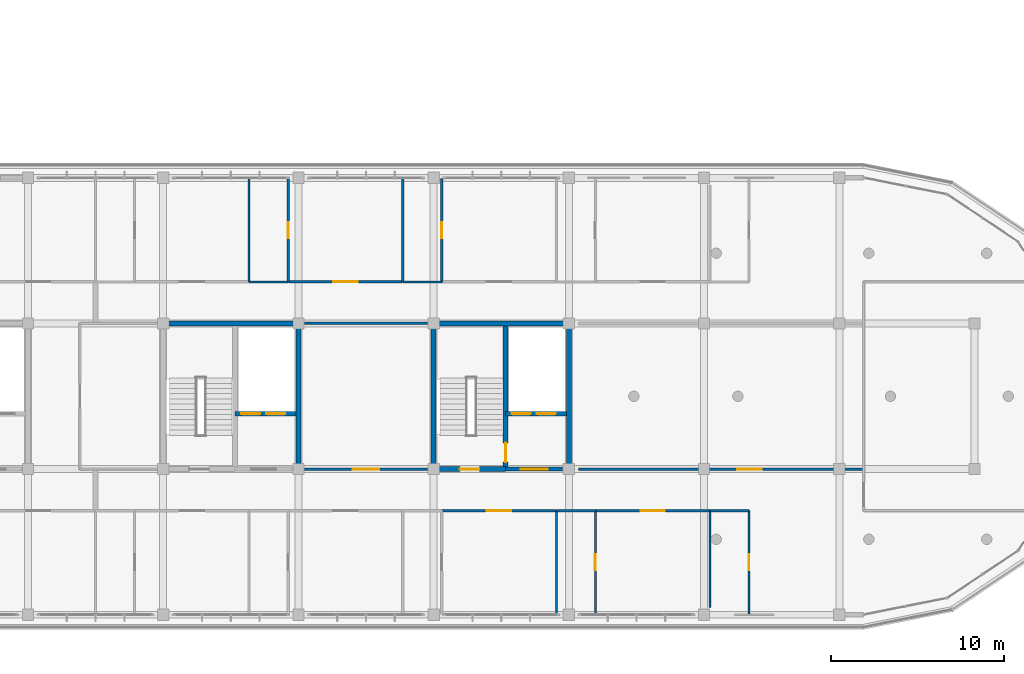
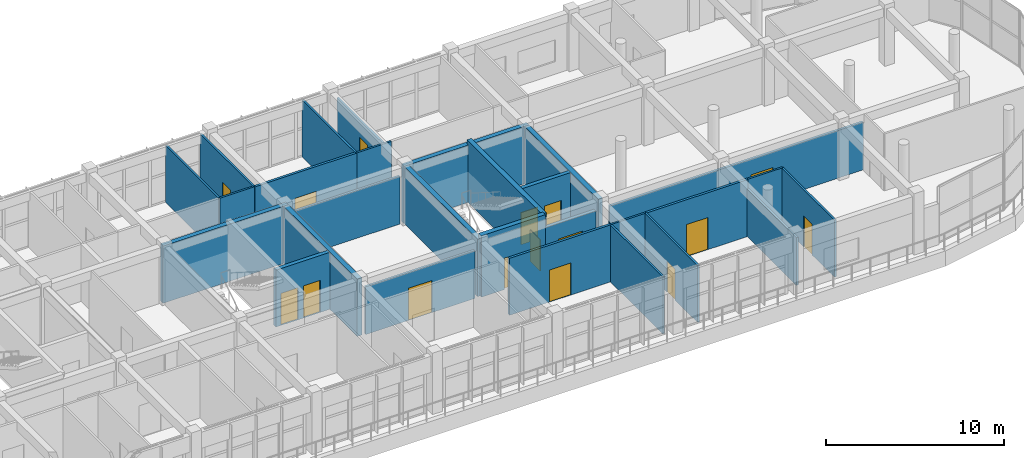
# One storey, part 50 of 57: 28 walls, 16 doors, 16 openings.
"""IFC4 building model written with IfcOpenShell, lengths in metres."""

from ifc_helpers import new_model, si_unit, direction, frame, frame_2d, origin, place, context, subcontext, project, spatial, rectangle, extrude, material, layer, layer_set, type_object, element, fill, save


model = new_model("IFC4")

# Units and contexts
model_context = context("Model", 3, precision=1e-05, world=origin(), true_north=direction((0.0, 1.0)))
body_context = subcontext(model_context, "Body", "Model", "MODEL_VIEW")
ifc_project = project(units=[si_unit("LENGTHUNIT", "METRE"), si_unit("AREAUNIT", "SQUARE_METRE"), si_unit("VOLUMEUNIT", "CUBIC_METRE"), si_unit("PLANEANGLEUNIT", "RADIAN"), si_unit("MASSUNIT", "GRAM", prefix="KILO")], contexts=[model_context])

# Site, building, storey
site_placement = place(None, origin())
site = spatial("IfcSite", under=ifc_project, at=site_placement, CompositionType="ELEMENT")
building_placement = place(site_placement, origin())
building = spatial("IfcBuilding", under=site, at=building_placement, Name="Zizhar Promenade General Hospital", CompositionType="ELEMENT")
storey_placement = place(building_placement, frame((0.0, 0.0, 22.199951171875)))
storey = spatial("IfcBuildingStorey", under=building, at=storey_placement, Name="L05", CompositionType="ELEMENT", Elevation=22.199951171875)

# Wall, opening, door
ifc_material_1 = material(Name="Clinical consultation partition")
ifc_layer_1 = layer(ifc_material_1, 0.14501953125)
ifc_layer_set_1 = layer_set([ifc_layer_1], Name="Clinical consultation partition")
wall_type_1 = type_object("IfcWallType", Name="IW-CLN-145", PredefinedType="PARTITIONING", material=ifc_layer_set_1)
wall_1_placement = place(storey_placement, frame((86.159912109375, 8.39990234375, 0.0), z_axis=(0.0, 0.0, 1.0), x_axis=(1.0, 0.0, 0.0)))
wall_1 = element("IfcWall", 1, at=wall_1_placement, inside=storey, type_object=wall_type_1, Name="Accessible Visitor Lounge and Clean Utility L05 S Partition", PredefinedType="PARTITIONING", context=body_context, shape_type="SweptSolid", body=[
    extrude(rectangle(XDim=7.080078125, YDim=0.14501953125, at=frame_2d((3.5400390625, 0.0))), origin(), (0.0, 0.0, 1.0), 3.27001953125),
])
opening_1_placement = place(wall_1_placement, frame((2.780029296875, 0.0, 0.0)))
opening_1 = element("IfcOpeningElement", 2, at=opening_1_placement, cuts=wall_1, Name="Opening D-28", PredefinedType="OPENING", context=body_context, shape_type="SweptSolid", body=[
    extrude(rectangle(XDim=1.52001953125, YDim=2.199951171875, at=frame_2d((0.760009765625, 1.10009765625))), frame((0.0, 0.08251953125, 0.0), z_axis=(0.0, -1.0, 0.0), x_axis=(1.0, 0.0, 0.0)), (0.0, 0.0, 1.0), 0.1650390625),
])
ifc_material_2 = material(Name="Fire-rated timber glazed lounge pair", Category="wood")
door_type_1 = type_object("IfcDoorType", Name="DR-LOUNGE-152x220", OperationType="DOUBLE_DOOR_SINGLE_SWING", PredefinedType="DOOR", material=ifc_material_2)
door_1_placement = place(opening_1_placement, origin())
door_1 = element("IfcDoor", 3, at=door_1_placement, inside=storey, type_object=door_type_1, Name="Accessible Visitor Lounge and Clean Utility L05 Door", OperationType="DOUBLE_DOOR_SINGLE_SWING", OverallHeight=2.199951171875, OverallWidth=1.52001953125, PredefinedType="DOOR", context=body_context, shape_type="SweptSolid", body=[
    extrude(rectangle(XDim=1.52001953125, YDim=2.199951171875, at=frame_2d((0.760009765625, 1.10009765625))), frame((0.0, 0.02490234375, 0.0), z_axis=(0.0, -1.0, 0.0), x_axis=(1.0, 0.0, 0.0)), (0.0, 0.0, 1.0), 0.050048828125),
])
fill(opening_1, door_1)

# Wall
wall_2_placement = place(storey_placement, frame((86.159912109375, 16.800048828125, 0.0), z_axis=(0.0, 0.0, 1.0), x_axis=(1.0, 0.0, 0.0)))
element("IfcWall", 4, at=wall_2_placement, inside=storey, type_object=wall_type_1, Name="Accessible Visitor Lounge and Clean Utility L05 N Partition", PredefinedType="PARTITIONING", context=body_context, shape_type="SweptSolid", body=[
    extrude(rectangle(XDim=7.080078125, YDim=0.14501953125, at=frame_2d((3.5400390625, 0.0))), origin(), (0.0, 0.0, 1.0), 3.27001953125),
])

# Wall, opening, door
ifc_material_3 = material(Name="Concrete C35/45", Category="concrete")
ifc_layer_2 = layer(ifc_material_3, 0.215087890625)
ifc_layer_set_2 = layer_set([ifc_layer_2], Name="Concrete C35/45")
wall_type_2 = type_object("IfcWallType", Name="IW-LOBBY-215", PredefinedType="STANDARD", material=ifc_layer_set_2)
wall_3_placement = place(storey_placement, frame((97.75, 8.39990234375, 0.0), z_axis=(0.0, 0.0, 1.0), x_axis=(1.0, 0.0, 0.0)))
wall_3 = element("IfcWall", 5, at=wall_3_placement, inside=storey, type_object=wall_type_2, Name="Core C5 Lift Lobby South Fire Wall (L05)", PredefinedType="STANDARD", context=body_context, shape_type="SweptSolid", body=[
    extrude(rectangle(XDim=3.2900390625, YDim=0.215087890625, at=frame_2d((1.64501953125, 0.0))), origin(), (0.0, 0.0, 1.0), 3.27001953125),
])
opening_2_placement = place(wall_3_placement, frame((0.864990234375, 0.0, 0.0)))
opening_2 = element("IfcOpeningElement", 6, at=opening_2_placement, cuts=wall_3, Name="Opening D-22", PredefinedType="OPENING", context=body_context, shape_type="SweptSolid", body=[
    extrude(rectangle(XDim=1.56005859375, YDim=2.199951171875, at=frame_2d((0.780029296875, 1.10009765625))), frame((0.0, 0.11767578125, 0.0), z_axis=(0.0, -1.0, 0.0), x_axis=(1.0, 0.0, 0.0)), (0.0, 0.0, 1.0), 0.235107421875),
])
ifc_material_4 = material(Name="Steel S355 firefighting lobby pair", Category="steel")
door_type_2 = type_object("IfcDoorType", Name="DR-LOBBY-FF-156x220", OperationType="DOUBLE_DOOR_SINGLE_SWING", PredefinedType="DOOR", material=ifc_material_4)
door_2_placement = place(opening_2_placement, origin())
door_2 = element("IfcDoor", 7, at=door_2_placement, inside=storey, type_object=door_type_2, Name="Core C5 Firefighting Lift Lobby Door (L05)", OperationType="DOUBLE_DOOR_SINGLE_SWING", OverallHeight=2.199951171875, OverallWidth=1.56005859375, PredefinedType="DOOR", context=body_context, shape_type="SweptSolid", body=[
    extrude(rectangle(XDim=1.56005859375, YDim=2.199951171875, at=frame_2d((0.780029296875, 1.10009765625))), frame((0.0, 0.02490234375, 0.0), z_axis=(0.0, -1.0, 0.0), x_axis=(1.0, 0.0, 0.0)), (0.0, 0.0, 1.0), 0.050048828125),
])
fill(opening_2, door_2)

# Wall, openings, doors
ifc_material_5 = material(Name="Concrete C35/45", Category="concrete")
ifc_layer_3 = layer(ifc_material_5, 0.25)
ifc_layer_set_3 = layer_set([ifc_layer_3], Name="Concrete C35/45")
wall_type_3 = type_object("IfcWallType", Name="IW-SHAFT-250", PredefinedType="STANDARD", material=ifc_layer_set_3)
wall_4_placement = place(storey_placement, frame((82.14990234375, 11.60009765625, 0.0), z_axis=(0.0, 0.0, 1.0), x_axis=(1.0, 0.0, 0.0)))
wall_4 = element("IfcWall", 8, at=wall_4_placement, inside=storey, type_object=wall_type_3, Name="Core C4 Lift Shaft Landing Wall (L05)", PredefinedType="STANDARD", context=body_context, shape_type="SweptSolid", body=[
    extrude(rectangle(XDim=3.5, YDim=0.25, at=frame_2d((1.75, 0.0))), origin(), (0.0, 0.0, 1.0), 3.900146484375),
])
opening_3_placement = place(wall_4_placement, frame((0.35009765625, 0.0, 0.0)))
opening_3 = element("IfcOpeningElement", 9, at=opening_3_placement, cuts=wall_4, Name="Opening LD-11", PredefinedType="OPENING", context=body_context, shape_type="SweptSolid", body=[
    extrude(rectangle(XDim=1.10009765625, YDim=2.199951171875, at=frame_2d((0.550048828125, 1.10009765625))), frame((0.0, 0.135009765625, 0.0), z_axis=(0.0, -1.0, 0.0), x_axis=(1.0, 0.0, 0.0)), (0.0, 0.0, 1.0), 0.27001953125),
])
opening_4_placement = place(wall_4_placement, frame((1.800048828125, 0.0, 0.0)))
opening_4 = element("IfcOpeningElement", 10, at=opening_4_placement, cuts=wall_4, Name="Opening LD-11", PredefinedType="OPENING", context=body_context, shape_type="SweptSolid", body=[
    extrude(rectangle(XDim=1.10009765625, YDim=2.199951171875, at=frame_2d((0.550048828125, 1.10009765625))), frame((0.0, 0.135009765625, 0.0), z_axis=(0.0, -1.0, 0.0), x_axis=(1.0, 0.0, 0.0)), (0.0, 0.0, 1.0), 0.27001953125),
])
ifc_material_6 = material(Name="Stainless Steel S355 passenger lift landing door", Category="steel")
door_type_3 = type_object("IfcDoorType", Name="DR-LIFT-LD11", OperationType="SLIDING_TO_LEFT", PredefinedType="DOOR", material=ifc_material_6)
door_3_placement = place(opening_3_placement, origin())
door_3 = element("IfcDoor", 11, at=door_3_placement, inside=storey, type_object=door_type_3, Name="Lift LB-03 Sliding Landing Door (L05)", OperationType="SLIDING_TO_LEFT", OverallHeight=2.199951171875, OverallWidth=1.10009765625, PredefinedType="DOOR", context=body_context, shape_type="SweptSolid", body=[
    extrude(rectangle(XDim=1.10009765625, YDim=2.199951171875, at=frame_2d((0.550048828125, 1.10009765625))), frame((0.0, 0.02490234375, 0.0), z_axis=(0.0, -1.0, 0.0), x_axis=(1.0, 0.0, 0.0)), (0.0, 0.0, 1.0), 0.050048828125),
])
fill(opening_3, door_3)
door_4_placement = place(opening_4_placement, origin())
door_4 = element("IfcDoor", 12, at=door_4_placement, inside=storey, type_object=door_type_3, Name="Lift LP-03 Sliding Landing Door (L05)", OperationType="SLIDING_TO_LEFT", OverallHeight=2.199951171875, OverallWidth=1.10009765625, PredefinedType="DOOR", context=body_context, shape_type="SweptSolid", body=[
    extrude(rectangle(XDim=1.10009765625, YDim=2.199951171875, at=frame_2d((0.550048828125, 1.10009765625))), frame((0.0, 0.02490234375, 0.0), z_axis=(0.0, -1.0, 0.0), x_axis=(1.0, 0.0, 0.0)), (0.0, 0.0, 1.0), 0.050048828125),
])
fill(opening_4, door_4)

wall_5_placement = place(storey_placement, frame((97.75, 11.60009765625, 0.0), z_axis=(0.0, 0.0, 1.0), x_axis=(1.0, 0.0, 0.0)))
wall_5 = element("IfcWall", 13, at=wall_5_placement, inside=storey, type_object=wall_type_3, Name="Core C5 Lift Shaft Landing Wall (L05)", PredefinedType="STANDARD", context=body_context, shape_type="SweptSolid", body=[
    extrude(rectangle(XDim=3.5, YDim=0.25, at=frame_2d((1.75, 0.0))), origin(), (0.0, 0.0, 1.0), 3.900146484375),
])
opening_5_placement = place(wall_5_placement, frame((0.35009765625, 0.0, 0.0)))
opening_5 = element("IfcOpeningElement", 14, at=opening_5_placement, cuts=wall_5, Name="Opening LD-11", PredefinedType="OPENING", context=body_context, shape_type="SweptSolid", body=[
    extrude(rectangle(XDim=1.10009765625, YDim=2.199951171875, at=frame_2d((0.550048828125, 1.10009765625))), frame((0.0, 0.135009765625, 0.0), z_axis=(0.0, -1.0, 0.0), x_axis=(1.0, 0.0, 0.0)), (0.0, 0.0, 1.0), 0.27001953125),
])
opening_6_placement = place(wall_5_placement, frame((1.800048828125, 0.0, 0.0)))
opening_6 = element("IfcOpeningElement", 15, at=opening_6_placement, cuts=wall_5, Name="Opening LD-11", PredefinedType="OPENING", context=body_context, shape_type="SweptSolid", body=[
    extrude(rectangle(XDim=1.10009765625, YDim=2.199951171875, at=frame_2d((0.550048828125, 1.10009765625))), frame((0.0, 0.135009765625, 0.0), z_axis=(0.0, -1.0, 0.0), x_axis=(1.0, 0.0, 0.0)), (0.0, 0.0, 1.0), 0.27001953125),
])
door_5_placement = place(opening_5_placement, origin())
door_5 = element("IfcDoor", 16, at=door_5_placement, inside=storey, type_object=door_type_3, Name="Lift LF-02 Sliding Landing Door (L05)", OperationType="SLIDING_TO_LEFT", OverallHeight=2.199951171875, OverallWidth=1.10009765625, PredefinedType="DOOR", context=body_context, shape_type="SweptSolid", body=[
    extrude(rectangle(XDim=1.10009765625, YDim=2.199951171875, at=frame_2d((0.550048828125, 1.10009765625))), frame((0.0, 0.02490234375, 0.0), z_axis=(0.0, -1.0, 0.0), x_axis=(1.0, 0.0, 0.0)), (0.0, 0.0, 1.0), 0.050048828125),
])
fill(opening_5, door_5)
door_6_placement = place(opening_6_placement, origin())
door_6 = element("IfcDoor", 17, at=door_6_placement, inside=storey, type_object=door_type_3, Name="Lift LB-04 Sliding Landing Door (L05)", OperationType="SLIDING_TO_LEFT", OverallHeight=2.199951171875, OverallWidth=1.10009765625, PredefinedType="DOOR", context=body_context, shape_type="SweptSolid", body=[
    extrude(rectangle(XDim=1.10009765625, YDim=2.199951171875, at=frame_2d((0.550048828125, 1.10009765625))), frame((0.0, 0.02490234375, 0.0), z_axis=(0.0, -1.0, 0.0), x_axis=(1.0, 0.0, 0.0)), (0.0, 0.0, 1.0), 0.050048828125),
])
fill(opening_6, door_6)

# Wall, opening, door
ifc_material_7 = material(Name="Acoustic patient bedroom partition")
ifc_layer_4 = layer(ifc_material_7, 0.155029296875)
ifc_layer_set_4 = layer_set([ifc_layer_4], Name="Acoustic patient bedroom partition")
wall_type_4 = type_object("IfcWallType", Name="IW-WARD-155", PredefinedType="PARTITIONING", material=ifc_layer_set_4)
wall_6_placement = place(storey_placement, frame((85.219970703125, 19.199951171875, 0.0), z_axis=(0.0, 0.0, 1.0), x_axis=(1.0, 0.0, 0.0)))
wall_6 = element("IfcWall", 18, at=wall_6_placement, inside=storey, type_object=wall_type_4, Name="Cardiology Inpatient Ward L05-N07 S Partition", PredefinedType="PARTITIONING", context=body_context, shape_type="SweptSolid", body=[
    extrude(rectangle(XDim=6.590087890625, YDim=0.155029296875, at=frame_2d((3.294921875, 0.0))), origin(), (0.0, 0.0, 1.0), 3.900146484375),
])
opening_7_placement = place(wall_6_placement, frame((2.594970703125, 0.0, 0.0)))
opening_7 = element("IfcOpeningElement", 19, at=opening_7_placement, cuts=wall_6, Name="Opening D-06", PredefinedType="OPENING", context=body_context, shape_type="SweptSolid", body=[
    extrude(rectangle(XDim=1.39990234375, YDim=2.199951171875, at=frame_2d((0.699951171875, 1.10009765625))), frame((0.0, 0.08740234375, 0.0), z_axis=(0.0, -1.0, 0.0), x_axis=(1.0, 0.0, 0.0)), (0.0, 0.0, 1.0), 0.175048828125),
])
ifc_material_8 = material(Name="Fire-rated timber hospital bed leaf", Category="wood")
door_type_4 = type_object("IfcDoorType", Name="DR-BED-WARD-140x220", OperationType="NOTDEFINED", PredefinedType="DOOR", material=ifc_material_8)
door_7_placement = place(opening_7_placement, origin())
door_7 = element("IfcDoor", 20, at=door_7_placement, inside=storey, type_object=door_type_4, Name="Cardiology Inpatient Ward L05-N07 Door", OperationType="SINGLE_SWING_LEFT", OverallHeight=2.199951171875, OverallWidth=1.39990234375, PredefinedType="DOOR", context=body_context, shape_type="SweptSolid", body=[
    extrude(rectangle(XDim=1.39990234375, YDim=2.199951171875, at=frame_2d((0.699951171875, 1.10009765625))), frame((0.0, 0.02490234375, 0.0), z_axis=(0.0, -1.0, 0.0), x_axis=(1.0, 0.0, 0.0)), (0.0, 0.0, 1.0), 0.050048828125),
])
fill(opening_7, door_7)

wall_7_placement = place(storey_placement, frame((94.080078125, 6.0, 0.0), z_axis=(0.0, 0.0, 1.0), x_axis=(1.0, 0.0, 0.0)))
wall_7 = element("IfcWall", 21, at=wall_7_placement, inside=storey, type_object=wall_type_4, Name="Vascular Inpatient Ward L05-S08 N Partition", PredefinedType="PARTITIONING", context=body_context, shape_type="SweptSolid", body=[
    extrude(rectangle(XDim=6.58984375, YDim=0.155029296875, at=frame_2d((3.294921875, 0.0))), origin(), (0.0, 0.0, 1.0), 3.900146484375),
])
opening_8_placement = place(wall_7_placement, frame((2.594970703125, 0.0, 0.0)))
opening_8 = element("IfcOpeningElement", 22, at=opening_8_placement, cuts=wall_7, Name="Opening D-06", PredefinedType="OPENING", context=body_context, shape_type="SweptSolid", body=[
    extrude(rectangle(XDim=1.39990234375, YDim=2.199951171875, at=frame_2d((0.699951171875, 1.10009765625))), frame((0.0, 0.08740234375, 0.0), z_axis=(0.0, -1.0, 0.0), x_axis=(1.0, 0.0, 0.0)), (0.0, 0.0, 1.0), 0.175048828125),
])
door_8_placement = place(opening_8_placement, origin())
door_8 = element("IfcDoor", 23, at=door_8_placement, inside=storey, type_object=door_type_4, Name="Vascular Inpatient Ward L05-S08 Door", OperationType="SINGLE_SWING_RIGHT", OverallHeight=2.199951171875, OverallWidth=1.39990234375, PredefinedType="DOOR", context=body_context, shape_type="SweptSolid", body=[
    extrude(rectangle(XDim=1.39990234375, YDim=2.199951171875, at=frame_2d((0.699951171875, 1.10009765625))), frame((0.0, 0.02490234375, 0.0), z_axis=(0.0, -1.0, 0.0), x_axis=(1.0, 0.0, 0.0)), (0.0, 0.0, 1.0), 0.050048828125),
])
fill(opening_8, door_8)

wall_8_placement = place(storey_placement, frame((102.93994140625, 6.0, 0.0), z_axis=(0.0, 0.0, 1.0), x_axis=(1.0, 0.0, 0.0)))
wall_8 = element("IfcWall", 24, at=wall_8_placement, inside=storey, type_object=wall_type_4, Name="Cardiology Inpatient Ward L05-S09 N Partition", PredefinedType="PARTITIONING", context=body_context, shape_type="SweptSolid", body=[
    extrude(rectangle(XDim=6.590087890625, YDim=0.155029296875, at=frame_2d((3.294921875, 0.0))), origin(), (0.0, 0.0, 1.0), 3.900146484375),
])
opening_9_placement = place(wall_8_placement, frame((2.594970703125, 0.0, 0.0)))
opening_9 = element("IfcOpeningElement", 25, at=opening_9_placement, cuts=wall_8, Name="Opening D-06", PredefinedType="OPENING", context=body_context, shape_type="SweptSolid", body=[
    extrude(rectangle(XDim=1.39990234375, YDim=2.199951171875, at=frame_2d((0.699951171875, 1.10009765625))), frame((0.0, 0.08740234375, 0.0), z_axis=(0.0, -1.0, 0.0), x_axis=(1.0, 0.0, 0.0)), (0.0, 0.0, 1.0), 0.175048828125),
])
door_9_placement = place(opening_9_placement, origin())
door_9 = element("IfcDoor", 26, at=door_9_placement, inside=storey, type_object=door_type_4, Name="Cardiology Inpatient Ward L05-S09 Door", OperationType="SINGLE_SWING_RIGHT", OverallHeight=2.199951171875, OverallWidth=1.39990234375, PredefinedType="DOOR", context=body_context, shape_type="SweptSolid", body=[
    extrude(rectangle(XDim=1.39990234375, YDim=2.199951171875, at=frame_2d((0.699951171875, 1.10009765625))), frame((0.0, 0.02490234375, 0.0), z_axis=(0.0, -1.0, 0.0), x_axis=(1.0, 0.0, 0.0)), (0.0, 0.0, 1.0), 0.050048828125),
])
fill(opening_9, door_9)

wall_9_placement = place(storey_placement, frame((101.9599609375, 8.39990234375, 0.0), z_axis=(0.0, 0.0, 1.0), x_axis=(1.0, 0.0, 0.0)))
wall_9 = element("IfcWall", 27, at=wall_9_placement, inside=storey, type_object=wall_type_4, Name="Ward Doctor Consultation Office L05 S Partition", PredefinedType="PARTITIONING", context=body_context, shape_type="SweptSolid", body=[
    extrude(rectangle(XDim=16.429931640625, YDim=0.155029296875, at=frame_2d((8.21484375, 0.0))), origin(), (0.0, 0.0, 1.0), 3.27001953125),
])
opening_10_placement = place(wall_9_placement, frame((9.157958984375, 0.0, 0.0)))
opening_10 = element("IfcOpeningElement", 28, at=opening_10_placement, cuts=wall_9, Name="Opening D-06", PredefinedType="OPENING", context=body_context, shape_type="SweptSolid", body=[
    extrude(rectangle(XDim=1.39990234375, YDim=2.199951171875, at=frame_2d((0.699951171875, 1.10009765625))), frame((0.0, 0.08740234375, 0.0), z_axis=(0.0, -1.0, 0.0), x_axis=(1.0, 0.0, 0.0)), (0.0, 0.0, 1.0), 0.175048828125),
])
door_10_placement = place(opening_10_placement, origin())
door_10 = element("IfcDoor", 29, at=door_10_placement, inside=storey, type_object=door_type_4, Name="Ward Doctor Consultation Office L05 Door", OperationType="SINGLE_SWING_LEFT", OverallHeight=2.199951171875, OverallWidth=1.39990234375, PredefinedType="DOOR", context=body_context, shape_type="SweptSolid", body=[
    extrude(rectangle(XDim=1.39990234375, YDim=2.199951171875, at=frame_2d((0.699951171875, 1.10009765625))), frame((0.0, 0.02490234375, 0.0), z_axis=(0.0, -1.0, 0.0), x_axis=(1.0, 0.0, 0.0)), (0.0, 0.0, 1.0), 0.050048828125),
])
fill(opening_10, door_10)

# Walls
ifc_material_9 = material(Name="Moisture-resistant en-suite wet partition")
ifc_layer_5 = layer(ifc_material_9, 0.125)
ifc_layer_set_5 = layer_set([ifc_layer_5], Name="Moisture-resistant en-suite wet partition")
wall_type_5 = type_object("IfcWallType", Name="IW-WET-125", PredefinedType="PARTITIONING", material=ifc_layer_set_5)
wall_10_placement = place(storey_placement, frame((82.9599609375, 19.199951171875, 0.0), z_axis=(0.0, 0.0, 1.0), x_axis=(1.0, 0.0, 0.0)))
element("IfcWall", 30, at=wall_10_placement, inside=storey, type_object=wall_type_5, Name="En-Suite Patient Bathroom L05-N07 S Partition", PredefinedType="PARTITIONING", context=body_context, shape_type="SweptSolid", body=[
    extrude(rectangle(XDim=2.25, YDim=0.125, at=frame_2d((1.125, 0.0))), origin(), (0.0, 0.0, 1.0), 3.900146484375),
])
wall_11_placement = place(storey_placement, frame((82.9599609375, 19.199951171875, 0.0), z_axis=(0.0, 0.0, 1.0), x_axis=(0.0, 1.0, 0.0)))
element("IfcWall", 31, at=wall_11_placement, inside=storey, type_object=wall_type_5, Name="En-Suite Patient Bathroom L05-N07 W Partition", PredefinedType="PARTITIONING", context=body_context, shape_type="SweptSolid", body=[
    extrude(rectangle(XDim=5.955078125, YDim=0.125, at=frame_2d((2.9775390625, 0.0))), origin(), (0.0, 0.0, 1.0), 3.900146484375),
])

# Wall, opening, door
wall_12_placement = place(storey_placement, frame((85.2099609375, 19.199951171875, 0.0), z_axis=(0.0, 0.0, 1.0), x_axis=(0.0, 1.0, 0.0)))
wall_12 = element("IfcWall", 32, at=wall_12_placement, inside=storey, type_object=wall_type_5, Name="En-Suite Patient Bathroom L05-N07 E Partition", PredefinedType="PARTITIONING", context=body_context, shape_type="SweptSolid", body=[
    extrude(rectangle(XDim=5.955078125, YDim=0.125, at=frame_2d((2.9775390625, 0.0))), origin(), (0.0, 0.0, 1.0), 3.900146484375),
])
opening_11_placement = place(wall_12_placement, frame((2.517578125, 0.0, 0.0)))
opening_11 = element("IfcOpeningElement", 33, at=opening_11_placement, cuts=wall_12, Name="Opening D-18", PredefinedType="OPENING", context=body_context, shape_type="SweptSolid", body=[
    extrude(rectangle(XDim=0.919921875, YDim=2.10009765625, at=frame_2d((0.4599609375, 1.050048828125))), frame((0.0, 0.072509765625, 0.0), z_axis=(0.0, -1.0, 0.0), x_axis=(1.0, 0.0, 0.0)), (0.0, 0.0, 1.0), 0.14501953125),
])
ifc_material_10 = material(Name="Moisture-resistant timber en-suite leaf", Category="wood")
door_type_5 = type_object("IfcDoorType", Name="DR-ENS-STD-092x210", OperationType="NOTDEFINED", PredefinedType="DOOR", material=ifc_material_10)
door_11_placement = place(opening_11_placement, origin())
door_11 = element("IfcDoor", 34, at=door_11_placement, inside=storey, type_object=door_type_5, Name="En-Suite Patient Bathroom L05-N07 Door", OperationType="SINGLE_SWING_LEFT", OverallHeight=2.10009765625, OverallWidth=0.919921875, PredefinedType="DOOR", context=body_context, shape_type="SweptSolid", body=[
    extrude(rectangle(XDim=0.919921875, YDim=2.10009765625, at=frame_2d((0.4599609375, 1.050048828125))), frame((0.0, 0.02490234375, 0.0), z_axis=(0.0, -1.0, 0.0), x_axis=(1.0, 0.0, 0.0)), (0.0, 0.0, 1.0), 0.050048828125),
])
fill(opening_11, door_11)

# Walls
wall_13_placement = place(storey_placement, frame((91.820068359375, 19.199951171875, 0.0), z_axis=(0.0, 0.0, 1.0), x_axis=(1.0, 0.0, 0.0)))
element("IfcWall", 35, at=wall_13_placement, inside=storey, type_object=wall_type_5, Name="En-Suite Patient Bathroom L05-N08 S Partition", PredefinedType="PARTITIONING", context=body_context, shape_type="SweptSolid", body=[
    extrude(rectangle(XDim=2.25, YDim=0.125, at=frame_2d((1.125, 0.0))), origin(), (0.0, 0.0, 1.0), 3.900146484375),
])
wall_14_placement = place(storey_placement, frame((91.820068359375, 19.199951171875, 0.0), z_axis=(0.0, 0.0, 1.0), x_axis=(0.0, 1.0, 0.0)))
element("IfcWall", 36, at=wall_14_placement, inside=storey, type_object=wall_type_5, Name="En-Suite Patient Bathroom L05-N08 W Partition", PredefinedType="PARTITIONING", context=body_context, shape_type="SweptSolid", body=[
    extrude(rectangle(XDim=5.955078125, YDim=0.125, at=frame_2d((2.9775390625, 0.0))), origin(), (0.0, 0.0, 1.0), 3.900146484375),
])

# Wall, opening, door
wall_15_placement = place(storey_placement, frame((94.070068359375, 19.199951171875, 0.0), z_axis=(0.0, 0.0, 1.0), x_axis=(0.0, 1.0, 0.0)))
wall_15 = element("IfcWall", 37, at=wall_15_placement, inside=storey, type_object=wall_type_5, Name="En-Suite Patient Bathroom L05-N08 E Partition", PredefinedType="PARTITIONING", context=body_context, shape_type="SweptSolid", body=[
    extrude(rectangle(XDim=5.955078125, YDim=0.125, at=frame_2d((2.9775390625, 0.0))), origin(), (0.0, 0.0, 1.0), 3.27001953125),
])
opening_12_placement = place(wall_15_placement, frame((2.517578125, 0.0, 0.0)))
opening_12 = element("IfcOpeningElement", 38, at=opening_12_placement, cuts=wall_15, Name="Opening D-18", PredefinedType="OPENING", context=body_context, shape_type="SweptSolid", body=[
    extrude(rectangle(XDim=0.919921875, YDim=2.10009765625, at=frame_2d((0.4599609375, 1.050048828125))), frame((0.0, 0.072509765625, 0.0), z_axis=(0.0, -1.0, 0.0), x_axis=(1.0, 0.0, 0.0)), (0.0, 0.0, 1.0), 0.14501953125),
])
door_12_placement = place(opening_12_placement, origin())
door_12 = element("IfcDoor", 39, at=door_12_placement, inside=storey, type_object=door_type_5, Name="En-Suite Patient Bathroom L05-N08 Door", OperationType="SINGLE_SWING_LEFT", OverallHeight=2.10009765625, OverallWidth=0.919921875, PredefinedType="DOOR", context=body_context, shape_type="SweptSolid", body=[
    extrude(rectangle(XDim=0.919921875, YDim=2.10009765625, at=frame_2d((0.4599609375, 1.050048828125))), frame((0.0, 0.02490234375, 0.0), z_axis=(0.0, -1.0, 0.0), x_axis=(1.0, 0.0, 0.0)), (0.0, 0.0, 1.0), 0.050048828125),
])
fill(opening_12, door_12)

# Walls
wall_16_placement = place(storey_placement, frame((100.679931640625, 6.0, 0.0), z_axis=(0.0, 0.0, 1.0), x_axis=(1.0, 0.0, 0.0)))
element("IfcWall", 40, at=wall_16_placement, inside=storey, type_object=wall_type_5, Name="En-Suite Patient Bathroom L05-S09 N Partition", PredefinedType="PARTITIONING", context=body_context, shape_type="SweptSolid", body=[
    extrude(rectangle(XDim=2.25, YDim=0.125, at=frame_2d((1.125, 0.0))), origin(), (0.0, 0.0, 1.0), 3.900146484375),
])
wall_17_placement = place(storey_placement, frame((100.679931640625, 0.044921875, 0.0), z_axis=(0.0, 0.0, 1.0), x_axis=(0.0, 1.0, 0.0)))
element("IfcWall", 41, at=wall_17_placement, inside=storey, type_object=wall_type_5, Name="En-Suite Patient Bathroom L05-S09 W Partition", PredefinedType="PARTITIONING", context=body_context, shape_type="SweptSolid", body=[
    extrude(rectangle(XDim=5.955078125, YDim=0.125, at=frame_2d((2.9775390625, 0.0))), origin(), (0.0, 0.0, 1.0), 3.900146484375),
])

# Wall, opening, door
wall_18_placement = place(storey_placement, frame((102.929931640625, 0.044921875, 0.0), z_axis=(0.0, 0.0, 1.0), x_axis=(0.0, 1.0, 0.0)))
wall_18 = element("IfcWall", 42, at=wall_18_placement, inside=storey, type_object=wall_type_5, Name="En-Suite Patient Bathroom L05-S09 E Partition", PredefinedType="PARTITIONING", context=body_context, shape_type="SweptSolid", body=[
    extrude(rectangle(XDim=5.955078125, YDim=0.125, at=frame_2d((2.9775390625, 0.0))), origin(), (0.0, 0.0, 1.0), 3.900146484375),
])
opening_13_placement = place(wall_18_placement, frame((2.517578125, 0.0, 0.0)))
opening_13 = element("IfcOpeningElement", 43, at=opening_13_placement, cuts=wall_18, Name="Opening D-18", PredefinedType="OPENING", context=body_context, shape_type="SweptSolid", body=[
    extrude(rectangle(XDim=0.919921875, YDim=2.10009765625, at=frame_2d((0.4599609375, 1.050048828125))), frame((0.0, 0.072509765625, 0.0), z_axis=(0.0, -1.0, 0.0), x_axis=(1.0, 0.0, 0.0)), (0.0, 0.0, 1.0), 0.14501953125),
])
door_13_placement = place(opening_13_placement, origin())
door_13 = element("IfcDoor", 44, at=door_13_placement, inside=storey, type_object=door_type_5, Name="En-Suite Patient Bathroom L05-S09 Door", OperationType="SINGLE_SWING_RIGHT", OverallHeight=2.10009765625, OverallWidth=0.919921875, PredefinedType="DOOR", context=body_context, shape_type="SweptSolid", body=[
    extrude(rectangle(XDim=0.919921875, YDim=2.10009765625, at=frame_2d((0.4599609375, 1.050048828125))), frame((0.0, 0.02490234375, 0.0), z_axis=(0.0, -1.0, 0.0), x_axis=(1.0, 0.0, 0.0)), (0.0, 0.0, 1.0), 0.050048828125),
])
fill(opening_13, door_13)

# Walls
wall_19_placement = place(storey_placement, frame((109.5400390625, 6.0, 0.0), z_axis=(0.0, 0.0, 1.0), x_axis=(1.0, 0.0, 0.0)))
element("IfcWall", 45, at=wall_19_placement, inside=storey, type_object=wall_type_5, Name="En-Suite Patient Bathroom L05-S10 N Partition", PredefinedType="PARTITIONING", context=body_context, shape_type="SweptSolid", body=[
    extrude(rectangle(XDim=2.25, YDim=0.125, at=frame_2d((1.125, 0.0))), origin(), (0.0, 0.0, 1.0), 3.900146484375),
])
wall_20_placement = place(storey_placement, frame((109.5400390625, 0.405029296875, 0.0), z_axis=(0.0, 0.0, 1.0), x_axis=(0.0, 1.0, 0.0)))
element("IfcWall", 46, at=wall_20_placement, inside=storey, type_object=wall_type_5, Name="En-Suite Patient Bathroom L05-S10 W Partition", PredefinedType="PARTITIONING", context=body_context, shape_type="SweptSolid", body=[
    extrude(rectangle(XDim=5.594970703125, YDim=0.125, at=frame_2d((2.79736328125, 0.0))), origin(), (0.0, 0.0, 1.0), 3.27001953125),
])

# Wall, opening, door
wall_21_placement = place(storey_placement, frame((111.7900390625, 0.044921875, 0.0), z_axis=(0.0, 0.0, 1.0), x_axis=(0.0, 1.0, 0.0)))
wall_21 = element("IfcWall", 47, at=wall_21_placement, inside=storey, type_object=wall_type_5, Name="En-Suite Patient Bathroom L05-S10 E Partition", PredefinedType="PARTITIONING", context=body_context, shape_type="SweptSolid", body=[
    extrude(rectangle(XDim=5.955078125, YDim=0.125, at=frame_2d((2.9775390625, 0.0))), origin(), (0.0, 0.0, 1.0), 3.900146484375),
])
opening_14_placement = place(wall_21_placement, frame((2.517578125, 0.0, 0.0)))
opening_14 = element("IfcOpeningElement", 48, at=opening_14_placement, cuts=wall_21, Name="Opening D-18", PredefinedType="OPENING", context=body_context, shape_type="SweptSolid", body=[
    extrude(rectangle(XDim=0.919921875, YDim=2.10009765625, at=frame_2d((0.4599609375, 1.050048828125))), frame((0.0, 0.072509765625, 0.0), z_axis=(0.0, -1.0, 0.0), x_axis=(1.0, 0.0, 0.0)), (0.0, 0.0, 1.0), 0.14501953125),
])
door_14_placement = place(opening_14_placement, origin())
door_14 = element("IfcDoor", 49, at=door_14_placement, inside=storey, type_object=door_type_5, Name="En-Suite Patient Bathroom L05-S10 Door", OperationType="SINGLE_SWING_RIGHT", OverallHeight=2.10009765625, OverallWidth=0.919921875, PredefinedType="DOOR", context=body_context, shape_type="SweptSolid", body=[
    extrude(rectangle(XDim=0.919921875, YDim=2.10009765625, at=frame_2d((0.4599609375, 1.050048828125))), frame((0.0, 0.02490234375, 0.0), z_axis=(0.0, -1.0, 0.0), x_axis=(1.0, 0.0, 0.0)), (0.0, 0.0, 1.0), 0.050048828125),
])
fill(opening_14, door_14)

# Walls
ifc_material_11 = material(Name="Concrete C40/50", Category="concrete")
ifc_layer_6 = layer(ifc_material_11, 0.300048828125)
ifc_layer_set_6 = layer_set([ifc_layer_6], Name="Concrete C40/50")
wall_type_6 = type_object("IfcWallType", Name="WL-CORE-300", PredefinedType="SHEAR", material=ifc_layer_set_6)
wall_22_placement = place(storey_placement, frame((77.85009765625, 16.800048828125, 0.0), z_axis=(0.0, 0.0, 1.0), x_axis=(1.0, 0.0, 0.0)))
element("IfcWall", 50, at=wall_22_placement, inside=storey, type_object=wall_type_6, Name="Core C4 North Shear Wall L05", PredefinedType="SHEAR", context=body_context, shape_type="SweptSolid", body=[
    extrude(rectangle(XDim=8.099853515625, YDim=0.300048828125, at=frame_2d((4.0498046875, 0.0))), origin(), (0.0, 0.0, 1.0), 3.920166015625),
])
wall_23_placement = place(storey_placement, frame((85.800048828125, 8.39990234375, 0.0), z_axis=(0.0, 0.0, 1.0), x_axis=(0.0, 1.0, 0.0)))
element("IfcWall", 51, at=wall_23_placement, inside=storey, type_object=wall_type_6, Name="Core C4 East Shear Wall L05", PredefinedType="SHEAR", context=body_context, shape_type="SweptSolid", body=[
    extrude(rectangle(XDim=8.400146484375, YDim=0.300048828125, at=frame_2d((4.2001953125, 0.0))), origin(), (0.0, 0.0, 1.0), 3.920166015625),
])
wall_24_placement = place(storey_placement, frame((93.449951171875, 16.800048828125, 0.0), z_axis=(0.0, 0.0, 1.0), x_axis=(1.0, 0.0, 0.0)))
element("IfcWall", 52, at=wall_24_placement, inside=storey, type_object=wall_type_6, Name="Core C5 North Shear Wall L05", PredefinedType="SHEAR", context=body_context, shape_type="SweptSolid", body=[
    extrude(rectangle(XDim=8.10009765625, YDim=0.300048828125, at=frame_2d((4.050048828125, 0.0))), origin(), (0.0, 0.0, 1.0), 3.920166015625),
])
for number, where, z_axis, x_axis, name in (
    (53, (93.60009765625, 8.39990234375, 0.0), (0.0, 0.0, 1.0), (0.0, 1.0, 0.0), "Core C5 West Shear Wall L05"),
    (54, (101.39990234375, 8.39990234375, 0.0), (0.0, 0.0, 1.0), (0.0, 1.0, 0.0), "Core C5 East Shear Wall L05"),
):
    element("IfcWall", number, at=place(storey_placement, frame(where, z_axis=z_axis, x_axis=x_axis)), inside=storey, type_object=wall_type_6, Name=name, PredefinedType="SHEAR", context=body_context, shape_type="SweptSolid", body=[
        extrude(rectangle(XDim=8.400146484375, YDim=0.300048828125, at=frame_2d((4.2001953125, 0.0))), origin(), (0.0, 0.0, 1.0), 3.920166015625),
    ])

# Wall, opening, door
wall_25_placement = place(storey_placement, frame((93.60009765625, 8.39990234375, 0.0), z_axis=(0.0, 0.0, 1.0), x_axis=(1.0, 0.0, 0.0)))
wall_25 = element("IfcWall", 55, at=wall_25_placement, inside=storey, type_object=wall_type_6, Name="Core C5 Stair South Fire Wall (L05)", PredefinedType="SHEAR", context=body_context, shape_type="SweptSolid", body=[
    extrude(rectangle(XDim=4.14990234375, YDim=0.300048828125, at=frame_2d((2.074951171875, 0.0))), origin(), (0.0, 0.0, 1.0), 4.199951171875),
])
opening_15_placement = place(wall_25_placement, frame((1.514892578125, 0.0, 0.0)))
opening_15 = element("IfcOpeningElement", 56, at=opening_15_placement, cuts=wall_25, Name="Opening D-21", PredefinedType="OPENING", context=body_context, shape_type="SweptSolid", body=[
    extrude(rectangle(XDim=1.1201171875, YDim=2.14990234375, at=frame_2d((0.56005859375, 1.074951171875))), frame((0.0, 0.16015625, 0.0), z_axis=(0.0, -1.0, 0.0), x_axis=(1.0, 0.0, 0.0)), (0.0, 0.0, 1.0), 0.320068359375),
])
ifc_material_12 = material(Name="Steel S355 protected stair door", Category="steel")
door_type_6 = type_object("IfcDoorType", Name="DR-STAIR-112x215", OperationType="NOTDEFINED", PredefinedType="DOOR", material=ifc_material_12)
door_15_placement = place(opening_15_placement, origin())
door_15 = element("IfcDoor", 57, at=door_15_placement, inside=storey, type_object=door_type_6, Name="Exit Stair ST-05 Door (L05)", OperationType="SINGLE_SWING_RIGHT", OverallHeight=2.14990234375, OverallWidth=1.1201171875, PredefinedType="DOOR", context=body_context, shape_type="SweptSolid", body=[
    extrude(rectangle(XDim=1.1201171875, YDim=2.14990234375, at=frame_2d((0.56005859375, 1.074951171875))), frame((0.0, 0.02490234375, 0.0), z_axis=(0.0, -1.0, 0.0), x_axis=(1.0, 0.0, 0.0)), (0.0, 0.0, 1.0), 0.050048828125),
])
fill(opening_15, door_15)

wall_26_placement = place(storey_placement, frame((97.75, 8.39990234375, 0.0), z_axis=(0.0, 0.0, 1.0), x_axis=(0.0, 1.0, 0.0)))
wall_26 = element("IfcWall", 58, at=wall_26_placement, inside=storey, type_object=wall_type_6, Name="Core C5 Stair-Shaft Separation Wall (L05)", PredefinedType="SHEAR", context=body_context, shape_type="SweptSolid", body=[
    extrude(rectangle(XDim=8.400146484375, YDim=0.300048828125, at=frame_2d((4.2001953125, 0.0))), origin(), (0.0, 0.0, 1.0), 4.199951171875),
])
opening_16_placement = place(wall_26_placement, frame((0.39990234375, 0.0, 0.0)))
opening_16 = element("IfcOpeningElement", 59, at=opening_16_placement, cuts=wall_26, Name="Opening D-21", PredefinedType="OPENING", context=body_context, shape_type="SweptSolid", body=[
    extrude(rectangle(XDim=1.1201171875, YDim=2.14990234375, at=frame_2d((0.56005859375, 1.074951171875))), frame((0.0, 0.16015625, 0.0), z_axis=(0.0, -1.0, 0.0), x_axis=(1.0, 0.0, 0.0)), (0.0, 0.0, 1.0), 0.320068359375),
])
door_16_placement = place(opening_16_placement, origin())
door_16 = element("IfcDoor", 60, at=door_16_placement, inside=storey, type_object=door_type_6, Name="Firefighting Lobby to Stair ST-05 Door (L05)", OperationType="SINGLE_SWING_LEFT", OverallHeight=2.14990234375, OverallWidth=1.1201171875, PredefinedType="DOOR", context=body_context, shape_type="SweptSolid", body=[
    extrude(rectangle(XDim=1.1201171875, YDim=2.14990234375, at=frame_2d((0.56005859375, 1.074951171875))), frame((0.0, 0.02490234375, 0.0), z_axis=(0.0, -1.0, 0.0), x_axis=(1.0, 0.0, 0.0)), (0.0, 0.0, 1.0), 0.050048828125),
])
fill(opening_16, door_16)

save(model, "model.ifc")
